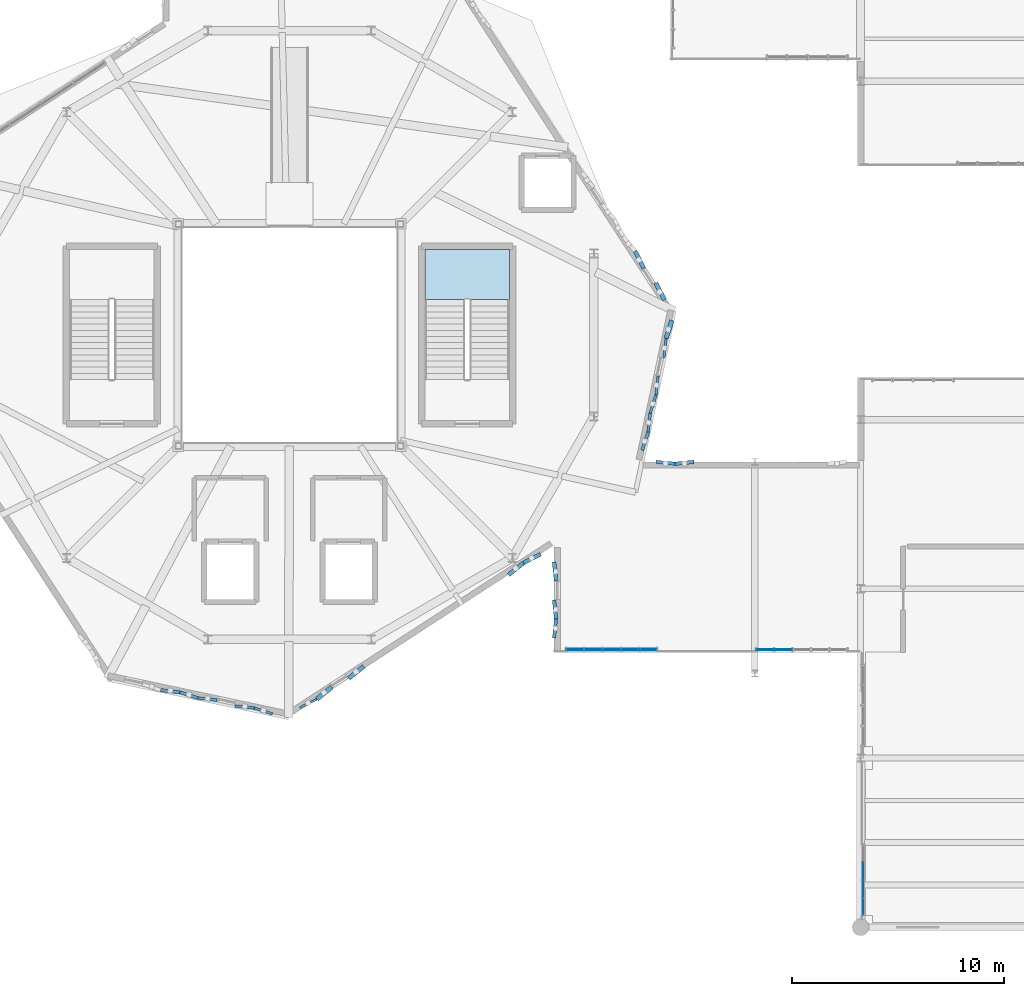
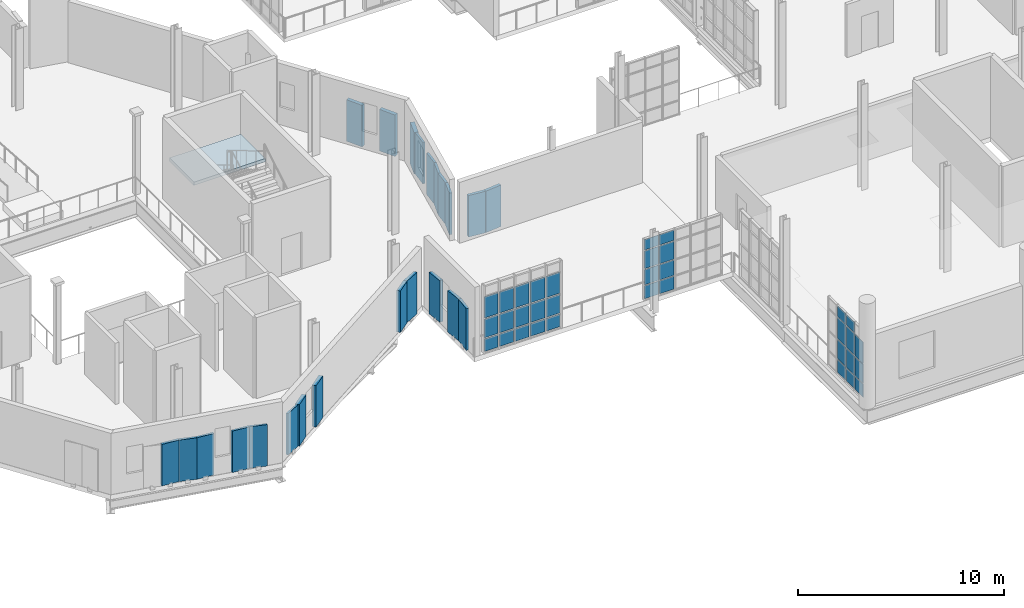
# One storey, part 89 of 118: 57 plates, 1 slab, 4 elements without a shape of their own.
"""IFC4 building model written with IfcOpenShell, lengths in metres."""

from ifc_helpers import new_model, si_unit, direction, frame, frame_2d, origin, origin_2d, place, context, subcontext, project, spatial, polyline, rectangle, outline, extrude, material, layer, layer_set, type_object, element, aggregate, save


model = new_model("IFC4")

# Units and contexts
model_context = context("Model", 3, precision=1e-05, world=origin(), true_north=direction((0.0, 1.0)))
body_context = subcontext(model_context, "Body", "Model", "MODEL_VIEW")
ifc_project = project(units=[si_unit("LENGTHUNIT", "METRE"), si_unit("AREAUNIT", "SQUARE_METRE"), si_unit("VOLUMEUNIT", "CUBIC_METRE"), si_unit("PLANEANGLEUNIT", "RADIAN"), si_unit("MASSUNIT", "GRAM", prefix="KILO"), si_unit("THERMODYNAMICTEMPERATUREUNIT", "KELVIN"), si_unit("POWERUNIT", "WATT")], contexts=[model_context])

# Site, building, storey
site_placement = place(None, origin())
site = spatial("IfcSite", under=ifc_project, at=site_placement, CompositionType="ELEMENT")
building_placement = place(site_placement, origin())
building = spatial("IfcBuilding", under=site, at=building_placement, Name="Zelmaris Science Centre", CompositionType="ELEMENT")
storey_placement = place(building_placement, frame((0.0, 0.0, 15.60009765625)))
storey = spatial("IfcBuildingStorey", under=building, at=storey_placement, Name="L03", CompositionType="ELEMENT", Elevation=15.60009765625)

# Curtain wall, plates
ifc_material_1 = material(Name="Anodised architectural aluminium 6063-T6", Category="aluminium")
ifc_layer_1 = layer(ifc_material_1, 0.18994140625, Name="Anodised architectural aluminium 6063-T6")
ifc_layer_set_1 = layer_set([ifc_layer_1], Name="Anodised architectural aluminium 6063-T6")
curtain_wall_type_1 = type_object("IfcCurtainWallType", Name="Curtain Wall CW-01", PredefinedType="USERDEFINED", material=ifc_layer_set_1)
curtain_wall_1_placement = place(storey_placement, origin())
curtain_wall_1 = element("IfcCurtainWall", 1, at=curtain_wall_1_placement, inside=storey, type_object=curtain_wall_type_1, Name="L03 Unitised curtain wall 313", ObjectType="GLAZED CURTAIN WALL", PredefinedType="USERDEFINED")
ifc_material_2 = material(Name="Laminated hurricane-rated low-E insulated glazing", Category="glass")
ifc_layer_2 = layer(ifc_material_2, 0.031982421875, Name="Laminated hurricane-rated low-E insulated glazing")
ifc_layer_set_2 = layer_set([ifc_layer_2], Name="Laminated hurricane-rated low-E insulated glazing")
plate_type_1 = type_object("IfcPlateType", Name="Curtain Glazing Panel CWP-1 32mm", PredefinedType="CURTAIN_PANEL", material=ifc_layer_set_2)
plate_1_placement = place(storey_placement, frame((97.9580078125, 21.1201171875, 0.05712890625), z_axis=(0.0, 0.0, 1.0), x_axis=(-0.999999999739, 2.286603e-05, 0.0)))
plate_1 = element("IfcPlate", 2, at=plate_1_placement, type_object=plate_type_1, Name="CW-01 panel 1.1", PredefinedType="CURTAIN_PANEL", context=body_context, shape_type="SweptSolid", body=[
    extrude(rectangle(XDim=0.7666015625, YDim=0.031982421875, at=origin_2d()), origin(), (0.0, 0.0, 1.0), 0.741943359375),
])
plate_2_placement = place(storey_placement, frame((97.9580078125, 21.1201171875, 0.870849609375), z_axis=(0.0, 0.0, 1.0), x_axis=(-0.999999999739, 2.286603e-05, 0.0)))
plate_2 = element("IfcPlate", 3, at=plate_2_placement, type_object=plate_type_1, Name="CW-01 panel 1.2", PredefinedType="CURTAIN_PANEL", context=body_context, shape_type="SweptSolid", body=[
    extrude(rectangle(XDim=0.7666015625, YDim=0.031982421875, at=origin_2d()), origin(), (0.0, 0.0, 1.0), 1.1005859375),
])
plate_3_placement = place(storey_placement, frame((97.9580078125, 21.1201171875, 2.04345703125), z_axis=(0.0, 0.0, 1.0), x_axis=(-0.999999999739, 2.286603e-05, 0.0)))
plate_3 = element("IfcPlate", 4, at=plate_3_placement, type_object=plate_type_1, Name="CW-01 panel 1.3", PredefinedType="CURTAIN_PANEL", context=body_context, shape_type="SweptSolid", body=[
    extrude(rectangle(XDim=0.7666015625, YDim=0.031982421875, at=origin_2d()), origin(), (0.0, 0.0, 1.0), 1.25048828125),
])
plate_4_placement = place(storey_placement, frame((97.101318359375, 21.1201171875, 0.05712890625), z_axis=(0.0, 0.0, 1.0), x_axis=(-0.999999999739, 2.286603e-05, 0.0)))
plate_4 = element("IfcPlate", 5, at=plate_4_placement, type_object=plate_type_1, Name="CW-01 panel 2.1", PredefinedType="CURTAIN_PANEL", context=body_context, shape_type="SweptSolid", body=[
    extrude(rectangle(XDim=0.802734375, YDim=0.031982421875, at=origin_2d()), origin(), (0.0, 0.0, 1.0), 0.741943359375),
])
plate_5_placement = place(storey_placement, frame((97.101318359375, 21.1201171875, 0.870849609375), z_axis=(0.0, 0.0, 1.0), x_axis=(-0.999999999739, 2.286603e-05, 0.0)))
plate_5 = element("IfcPlate", 6, at=plate_5_placement, type_object=plate_type_1, Name="CW-01 panel 2.2", PredefinedType="CURTAIN_PANEL", context=body_context, shape_type="SweptSolid", body=[
    extrude(rectangle(XDim=0.802734375, YDim=0.031982421875, at=origin_2d()), origin(), (0.0, 0.0, 1.0), 1.1005859375),
])
plate_6_placement = place(storey_placement, frame((97.101318359375, 21.1201171875, 2.04345703125), z_axis=(0.0, 0.0, 1.0), x_axis=(-0.999999999739, 2.286603e-05, 0.0)))
plate_6 = element("IfcPlate", 7, at=plate_6_placement, type_object=plate_type_1, Name="CW-01 panel 2.3", PredefinedType="CURTAIN_PANEL", context=body_context, shape_type="SweptSolid", body=[
    extrude(rectangle(XDim=0.802734375, YDim=0.031982421875, at=origin_2d()), origin(), (0.0, 0.0, 1.0), 1.25048828125),
])
plate_7_placement = place(storey_placement, frame((96.226806640625, 21.1201171875, 0.05712890625), z_axis=(0.0, 0.0, 1.0), x_axis=(-0.999999999739, 2.286603e-05, 0.0)))
plate_7 = element("IfcPlate", 8, at=plate_7_placement, type_object=plate_type_1, Name="CW-01 panel 3.1", PredefinedType="CURTAIN_PANEL", context=body_context, shape_type="SweptSolid", body=[
    extrude(rectangle(XDim=0.802734375, YDim=0.031982421875, at=origin_2d()), origin(), (0.0, 0.0, 1.0), 0.741943359375),
])
plate_8_placement = place(storey_placement, frame((96.226806640625, 21.1201171875, 0.870849609375), z_axis=(0.0, 0.0, 1.0), x_axis=(-0.999999999739, 2.286603e-05, 0.0)))
plate_8 = element("IfcPlate", 9, at=plate_8_placement, type_object=plate_type_1, Name="CW-01 panel 3.2", PredefinedType="CURTAIN_PANEL", context=body_context, shape_type="SweptSolid", body=[
    extrude(rectangle(XDim=0.802734375, YDim=0.031982421875, at=origin_2d()), origin(), (0.0, 0.0, 1.0), 1.1005859375),
])
plate_9_placement = place(storey_placement, frame((96.226806640625, 21.1201171875, 2.04345703125), z_axis=(0.0, 0.0, 1.0), x_axis=(-0.999999999739, 2.286603e-05, 0.0)))
plate_9 = element("IfcPlate", 10, at=plate_9_placement, type_object=plate_type_1, Name="CW-01 panel 3.3", PredefinedType="CURTAIN_PANEL", context=body_context, shape_type="SweptSolid", body=[
    extrude(rectangle(XDim=0.802734375, YDim=0.031982421875, at=origin_2d()), origin(), (0.0, 0.0, 1.0), 1.25048828125),
])
plate_10_placement = place(storey_placement, frame((95.35205078125, 21.1201171875, 0.05712890625), z_axis=(0.0, 0.0, 1.0), x_axis=(-0.999999999739, 2.286603e-05, 0.0)))
plate_10 = element("IfcPlate", 11, at=plate_10_placement, type_object=plate_type_1, Name="CW-01 panel 4.1", PredefinedType="CURTAIN_PANEL", context=body_context, shape_type="SweptSolid", body=[
    extrude(rectangle(XDim=0.802734375, YDim=0.031982421875, at=origin_2d()), origin(), (0.0, 0.0, 1.0), 0.741943359375),
])
plate_11_placement = place(storey_placement, frame((95.35205078125, 21.1201171875, 0.870849609375), z_axis=(0.0, 0.0, 1.0), x_axis=(-0.999999999739, 2.286603e-05, 0.0)))
plate_11 = element("IfcPlate", 12, at=plate_11_placement, type_object=plate_type_1, Name="CW-01 panel 4.2", PredefinedType="CURTAIN_PANEL", context=body_context, shape_type="SweptSolid", body=[
    extrude(rectangle(XDim=0.802734375, YDim=0.031982421875, at=origin_2d()), origin(), (0.0, 0.0, 1.0), 1.1005859375),
])
plate_12_placement = place(storey_placement, frame((95.35205078125, 21.1201171875, 2.04345703125), z_axis=(0.0, 0.0, 1.0), x_axis=(-0.999999999739, 2.286603e-05, 0.0)))
plate_12 = element("IfcPlate", 13, at=plate_12_placement, type_object=plate_type_1, Name="CW-01 panel 4.3", PredefinedType="CURTAIN_PANEL", context=body_context, shape_type="SweptSolid", body=[
    extrude(rectangle(XDim=0.802734375, YDim=0.031982421875, at=origin_2d()), origin(), (0.0, 0.0, 1.0), 1.25048828125),
])
plate_13_placement = place(storey_placement, frame((94.495361328125, 21.1201171875, 0.05712890625), z_axis=(0.0, 0.0, 1.0), x_axis=(-0.999999999739, 2.286603e-05, 0.0)))
plate_13 = element("IfcPlate", 14, at=plate_13_placement, type_object=plate_type_1, Name="CW-01 panel 5.1", PredefinedType="CURTAIN_PANEL", context=body_context, shape_type="SweptSolid", body=[
    extrude(rectangle(XDim=0.7666015625, YDim=0.031982421875, at=origin_2d()), origin(), (0.0, 0.0, 1.0), 0.741943359375),
])
plate_14_placement = place(storey_placement, frame((94.495361328125, 21.1201171875, 0.870849609375), z_axis=(0.0, 0.0, 1.0), x_axis=(-0.999999999739, 2.286603e-05, 0.0)))
plate_14 = element("IfcPlate", 15, at=plate_14_placement, type_object=plate_type_1, Name="CW-01 panel 5.2", PredefinedType="CURTAIN_PANEL", context=body_context, shape_type="SweptSolid", body=[
    extrude(rectangle(XDim=0.7666015625, YDim=0.031982421875, at=origin_2d()), origin(), (0.0, 0.0, 1.0), 1.1005859375),
])
plate_15_placement = place(storey_placement, frame((94.495361328125, 21.1201171875, 2.04345703125), z_axis=(0.0, 0.0, 1.0), x_axis=(-0.999999999739, 2.286603e-05, 0.0)))
plate_15 = element("IfcPlate", 16, at=plate_15_placement, type_object=plate_type_1, Name="CW-01 panel 5.3", PredefinedType="CURTAIN_PANEL", context=body_context, shape_type="SweptSolid", body=[
    extrude(rectangle(XDim=0.7666015625, YDim=0.031982421875, at=origin_2d()), origin(), (0.0, 0.0, 1.0), 1.25048828125),
])
aggregate(curtain_wall_1, [plate_1, plate_2, plate_3, plate_4, plate_5, plate_6, plate_7, plate_8, plate_9, plate_10, plate_11, plate_12, plate_13, plate_14, plate_15])

ifc_layer_3 = layer(ifc_material_1, 0.2099609375, Name="Anodised architectural aluminium 6063-T6")
ifc_layer_set_3 = layer_set([ifc_layer_3], Name="Anodised architectural aluminium 6063-T6")
curtain_wall_type_2 = type_object("IfcCurtainWallType", Name="Curtain Wall CW-03", PredefinedType="USERDEFINED", material=ifc_layer_set_3)
curtain_wall_2_placement = place(storey_placement, origin())
curtain_wall_2 = element("IfcCurtainWall", 17, at=curtain_wall_2_placement, inside=storey, type_object=curtain_wall_type_2, Name="L03 Unitised curtain wall 311", ObjectType="GLAZED CURTAIN WALL", PredefinedType="USERDEFINED")
ifc_layer_4 = layer(ifc_material_2, 0.02587890625, Name="Laminated hurricane-rated low-E insulated glazing")
ifc_layer_set_4 = layer_set([ifc_layer_4], Name="Laminated hurricane-rated low-E insulated glazing")
plate_type_2 = type_object("IfcPlateType", Name="Curtain Glazing Panel CWP-3 26mm", PredefinedType="CURTAIN_PANEL", material=ifc_layer_set_4)
plate_16_placement = place(storey_placement, frame((104.338623046875, 21.1201171875, 0.0419921875), z_axis=(0.0, 0.0, 1.0), x_axis=(-1.0, 0.0, 0.0)))
plate_16 = element("IfcPlate", 18, at=plate_16_placement, type_object=plate_type_2, Name="CW-03 panel 4.1", PredefinedType="CURTAIN_PANEL", context=body_context, shape_type="SweptSolid", body=[
    extrude(rectangle(XDim=0.817626953125, YDim=0.02587890625, at=origin_2d()), origin(), (0.0, 0.0, 1.0), 0.764404296875),
])
plate_17_placement = place(storey_placement, frame((104.338623046875, 21.1201171875, 0.863525390625), z_axis=(0.0, 0.0, 1.0), x_axis=(-1.0, 0.0, 0.0)))
plate_17 = element("IfcPlate", 19, at=plate_17_placement, type_object=plate_type_2, Name="CW-03 panel 4.2", PredefinedType="CURTAIN_PANEL", context=body_context, shape_type="SweptSolid", body=[
    extrude(rectangle(XDim=0.817626953125, YDim=0.02587890625, at=origin_2d()), origin(), (0.0, 0.0, 1.0), 0.90087890625),
])
plate_18_placement = place(storey_placement, frame((104.338623046875, 21.1201171875, 1.8212890625), z_axis=(0.0, 0.0, 1.0), x_axis=(-1.0, 0.0, 0.0)))
plate_18 = element("IfcPlate", 20, at=plate_18_placement, type_object=plate_type_2, Name="CW-03 panel 4.3", PredefinedType="CURTAIN_PANEL", context=body_context, shape_type="SweptSolid", body=[
    extrude(rectangle(XDim=0.817626953125, YDim=0.02587890625, at=origin_2d()), origin(), (0.0, 0.0, 1.0), 1.051025390625),
])
plate_19_placement = place(storey_placement, frame((104.338623046875, 21.1201171875, 2.92919921875), z_axis=(0.0, 0.0, 1.0), x_axis=(-1.0, 0.0, 0.0)))
plate_19 = element("IfcPlate", 21, at=plate_19_placement, type_object=plate_type_2, Name="CW-03 panel 4.4", PredefinedType="CURTAIN_PANEL", context=body_context, shape_type="SweptSolid", body=[
    extrude(rectangle(XDim=0.817626953125, YDim=0.02587890625, at=origin_2d()), origin(), (0.0, 0.0, 1.0), 0.614501953125),
])
plate_20_placement = place(storey_placement, frame((103.478271484375, 21.1201171875, 0.0419921875), z_axis=(0.0, 0.0, 1.0), x_axis=(-1.0, 0.0, 0.0)))
plate_20 = element("IfcPlate", 22, at=plate_20_placement, type_object=plate_type_2, Name="CW-03 panel 5.1", PredefinedType="CURTAIN_PANEL", context=body_context, shape_type="SweptSolid", body=[
    extrude(rectangle(XDim=0.7890625, YDim=0.02587890625, at=origin_2d()), origin(), (0.0, 0.0, 1.0), 0.764404296875),
])
plate_21_placement = place(storey_placement, frame((103.478271484375, 21.1201171875, 0.863525390625), z_axis=(0.0, 0.0, 1.0), x_axis=(-1.0, 0.0, 0.0)))
plate_21 = element("IfcPlate", 23, at=plate_21_placement, type_object=plate_type_2, Name="CW-03 panel 5.2", PredefinedType="CURTAIN_PANEL", context=body_context, shape_type="SweptSolid", body=[
    extrude(rectangle(XDim=0.7890625, YDim=0.02587890625, at=origin_2d()), origin(), (0.0, 0.0, 1.0), 0.90087890625),
])
plate_22_placement = place(storey_placement, frame((103.478271484375, 21.1201171875, 1.8212890625), z_axis=(0.0, 0.0, 1.0), x_axis=(-1.0, 0.0, 0.0)))
plate_22 = element("IfcPlate", 24, at=plate_22_placement, type_object=plate_type_2, Name="CW-03 panel 5.3", PredefinedType="CURTAIN_PANEL", context=body_context, shape_type="SweptSolid", body=[
    extrude(rectangle(XDim=0.7890625, YDim=0.02587890625, at=origin_2d()), origin(), (0.0, 0.0, 1.0), 1.051025390625),
])
plate_23_placement = place(storey_placement, frame((103.478271484375, 21.1201171875, 2.92919921875), z_axis=(0.0, 0.0, 1.0), x_axis=(-1.0, 0.0, 0.0)))
plate_23 = element("IfcPlate", 25, at=plate_23_placement, type_object=plate_type_2, Name="CW-03 panel 5.4", PredefinedType="CURTAIN_PANEL", context=body_context, shape_type="SweptSolid", body=[
    extrude(rectangle(XDim=0.7890625, YDim=0.02587890625, at=origin_2d()), origin(), (0.0, 0.0, 1.0), 0.614501953125),
])
aggregate(curtain_wall_2, [plate_16, plate_17, plate_18, plate_19, plate_20, plate_21, plate_22, plate_23])

ifc_layer_5 = layer(ifc_material_1, 0.219970703125, Name="Anodised architectural aluminium 6063-T6")
ifc_layer_set_5 = layer_set([ifc_layer_5], Name="Anodised architectural aluminium 6063-T6")
curtain_wall_type_3 = type_object("IfcCurtainWallType", Name="Curtain Wall CW-04", PredefinedType="USERDEFINED", material=ifc_layer_set_5)
curtain_wall_3_placement = place(storey_placement, origin())
curtain_wall_3 = element("IfcCurtainWall", 26, at=curtain_wall_3_placement, inside=storey, type_object=curtain_wall_type_3, Name="L03 Unitised curtain wall 308", ObjectType="GLAZED CURTAIN WALL", PredefinedType="USERDEFINED")
ifc_layer_6 = layer(ifc_material_2, 0.02392578125, Name="Laminated hurricane-rated low-E insulated glazing")
ifc_layer_set_6 = layer_set([ifc_layer_6], Name="Laminated hurricane-rated low-E insulated glazing")
plate_type_3 = type_object("IfcPlateType", Name="Curtain Glazing Panel CWP-4 24mm", PredefinedType="CURTAIN_PANEL", material=ifc_layer_set_6)
plate_24_placement = place(storey_placement, frame((108.119140625, 8.978271484375, 0.036865234375), z_axis=(0.0, 0.0, 1.0), x_axis=(-0.001058854076, 0.999999439414, 0.0)))
plate_24 = element("IfcPlate", 27, at=plate_24_placement, type_object=plate_type_3, Name="CW-04 panel 1.1", PredefinedType="CURTAIN_PANEL", context=body_context, shape_type="SweptSolid", body=[
    extrude(rectangle(XDim=0.77197265625, YDim=0.02392578125, at=origin_2d()), origin(), (0.0, 0.0, 1.0), 0.77197265625),
])
plate_25_placement = place(storey_placement, frame((108.119140625, 8.978271484375, 0.86083984375), z_axis=(0.0, 0.0, 1.0), x_axis=(-0.001058854076, 0.999999439414, 0.0)))
plate_25 = element("IfcPlate", 28, at=plate_25_placement, type_object=plate_type_3, Name="CW-04 panel 1.2", PredefinedType="CURTAIN_PANEL", context=body_context, shape_type="SweptSolid", body=[
    extrude(rectangle(XDim=0.77197265625, YDim=0.02392578125, at=origin_2d()), origin(), (0.0, 0.0, 1.0), 1.12060546875),
])
plate_26_placement = place(storey_placement, frame((108.119140625, 8.978271484375, 2.033447265625), z_axis=(0.0, 0.0, 1.0), x_axis=(-0.001058854076, 0.999999439414, 0.0)))
plate_26 = element("IfcPlate", 29, at=plate_26_placement, type_object=plate_type_3, Name="CW-04 panel 1.3", PredefinedType="CURTAIN_PANEL", context=body_context, shape_type="SweptSolid", body=[
    extrude(rectangle(XDim=0.77197265625, YDim=0.02392578125, at=origin_2d()), origin(), (0.0, 0.0, 1.0), 1.2705078125),
])
plate_27_placement = place(storey_placement, frame((108.1181640625, 9.815185546875, 0.036865234375), z_axis=(0.0, 0.0, 1.0), x_axis=(-0.001058854076, 0.999999439414, 0.0)))
plate_27 = element("IfcPlate", 30, at=plate_27_placement, type_object=plate_type_3, Name="CW-04 panel 2.1", PredefinedType="CURTAIN_PANEL", context=body_context, shape_type="SweptSolid", body=[
    extrude(rectangle(XDim=0.798095703125, YDim=0.02392578125, at=origin_2d()), origin(), (0.0, 0.0, 1.0), 0.77197265625),
])
plate_28_placement = place(storey_placement, frame((108.1181640625, 9.815185546875, 0.86083984375), z_axis=(0.0, 0.0, 1.0), x_axis=(-0.001058854076, 0.999999439414, 0.0)))
plate_28 = element("IfcPlate", 31, at=plate_28_placement, type_object=plate_type_3, Name="CW-04 panel 2.2", PredefinedType="CURTAIN_PANEL", context=body_context, shape_type="SweptSolid", body=[
    extrude(rectangle(XDim=0.798095703125, YDim=0.02392578125, at=origin_2d()), origin(), (0.0, 0.0, 1.0), 1.12060546875),
])
plate_29_placement = place(storey_placement, frame((108.1181640625, 9.815185546875, 2.033447265625), z_axis=(0.0, 0.0, 1.0), x_axis=(-0.001058854076, 0.999999439414, 0.0)))
plate_29 = element("IfcPlate", 32, at=plate_29_placement, type_object=plate_type_3, Name="CW-04 panel 2.3", PredefinedType="CURTAIN_PANEL", context=body_context, shape_type="SweptSolid", body=[
    extrude(rectangle(XDim=0.798095703125, YDim=0.02392578125, at=origin_2d()), origin(), (0.0, 0.0, 1.0), 1.2705078125),
])
plate_30_placement = place(storey_placement, frame((108.1181640625, 9.815185546875, 3.35595703125), z_axis=(0.0, 0.0, 1.0), x_axis=(-0.001058854076, 0.999999439414, 0.0)))
plate_30 = element("IfcPlate", 33, at=plate_30_placement, type_object=plate_type_3, Name="CW-04 panel 2.4", PredefinedType="CURTAIN_PANEL", context=body_context, shape_type="SweptSolid", body=[
    extrude(rectangle(XDim=0.798095703125, YDim=0.02392578125, at=origin_2d()), origin(), (0.0, 0.0, 1.0), 0.6220703125),
])
plate_31_placement = place(storey_placement, frame((108.1171875, 10.6650390625, 0.036865234375), z_axis=(0.0, 0.0, 1.0), x_axis=(-0.001058854076, 0.999999439414, 0.0)))
plate_31 = element("IfcPlate", 34, at=plate_31_placement, type_object=plate_type_3, Name="CW-04 panel 3.1", PredefinedType="CURTAIN_PANEL", context=body_context, shape_type="SweptSolid", body=[
    extrude(rectangle(XDim=0.798095703125, YDim=0.02392578125, at=origin_2d()), origin(), (0.0, 0.0, 1.0), 0.77197265625),
])
plate_32_placement = place(storey_placement, frame((108.1171875, 10.6650390625, 0.86083984375), z_axis=(0.0, 0.0, 1.0), x_axis=(-0.001058854076, 0.999999439414, 0.0)))
plate_32 = element("IfcPlate", 35, at=plate_32_placement, type_object=plate_type_3, Name="CW-04 panel 3.2", PredefinedType="CURTAIN_PANEL", context=body_context, shape_type="SweptSolid", body=[
    extrude(rectangle(XDim=0.798095703125, YDim=0.02392578125, at=origin_2d()), origin(), (0.0, 0.0, 1.0), 1.12060546875),
])
plate_33_placement = place(storey_placement, frame((108.1171875, 10.6650390625, 2.033447265625), z_axis=(0.0, 0.0, 1.0), x_axis=(-0.001058854076, 0.999999439414, 0.0)))
plate_33 = element("IfcPlate", 36, at=plate_33_placement, type_object=plate_type_3, Name="CW-04 panel 3.3", PredefinedType="CURTAIN_PANEL", context=body_context, shape_type="SweptSolid", body=[
    extrude(rectangle(XDim=0.798095703125, YDim=0.02392578125, at=origin_2d()), origin(), (0.0, 0.0, 1.0), 1.2705078125),
])
plate_34_placement = place(storey_placement, frame((108.1171875, 10.6650390625, 3.35595703125), z_axis=(0.0, 0.0, 1.0), x_axis=(-0.001058854076, 0.999999439414, 0.0)))
plate_34 = element("IfcPlate", 37, at=plate_34_placement, type_object=plate_type_3, Name="CW-04 panel 3.4", PredefinedType="CURTAIN_PANEL", context=body_context, shape_type="SweptSolid", body=[
    extrude(rectangle(XDim=0.798095703125, YDim=0.02392578125, at=origin_2d()), origin(), (0.0, 0.0, 1.0), 0.6220703125),
])
aggregate(curtain_wall_3, [plate_24, plate_25, plate_26, plate_27, plate_28, plate_29, plate_30, plate_31, plate_32, plate_33, plate_34])

# Plates
ifc_material_3 = material(Name="Precast concrete C40/50", Category="concrete")
ifc_layer_7 = layer(ifc_material_3, 0.110107421875, Name="Precast concrete C40/50")
ifc_layer_set_7 = layer_set([ifc_layer_7], Name="Precast concrete C40/50")
plate_type_4 = type_object("IfcPlateType", Name="Precast Facet Panel FP-01 110mm", PredefinedType="SHEET", material=ifc_layer_set_7)
plate_35_placement = place(storey_placement, frame((82.291748046875, 18.78857421875, 0.02001953125), z_axis=(0.0, 0.0, 1.0), x_axis=(-0.890067401087, -0.455828938883, 0.0)))
element("IfcPlate", 38, at=plate_35_placement, inside=storey, type_object=plate_type_4, Name="L03 Folded precast facet panel 120", PredefinedType="SHEET", context=body_context, shape_type="SweptSolid", body=[
    extrude(rectangle(XDim=0.904541015625, YDim=0.110107421875, at=frame_2d((0.4521484375, 0.0))), origin(), (0.0, 0.0, 1.0), 2.4599609375),
])
plate_36_placement = place(storey_placement, frame((98.798095703125, 35.827880859375, 0.02001953125), z_axis=(0.0, 0.0, 1.0), x_axis=(-0.107676495098, -0.994185984815, 0.0)))
element("IfcPlate", 39, at=plate_36_placement, inside=storey, type_object=plate_type_4, Name="L03 Folded precast facet panel 156", PredefinedType="SHEET", context=body_context, shape_type="SweptSolid", body=[
    extrude(rectangle(XDim=0.90478515625, YDim=0.110107421875, at=frame_2d((0.452392578125, 0.0))), origin(), (0.0, 0.0, 1.0), 2.4599609375),
])
ifc_layer_8 = layer(ifc_material_3, 0.1201171875, Name="Precast concrete C40/50")
ifc_layer_set_8 = layer_set([ifc_layer_8], Name="Precast concrete C40/50")
plate_type_5 = type_object("IfcPlateType", Name="Precast Facet Panel FP-02 120mm", PredefinedType="SHEET", material=ifc_layer_set_8)
for number, where, z_axis, x_axis, name in (
    (40, (80.1953125, 18.08740234375, 0.02001953125), (0.0, 0.0, 1.0), (-0.952107151428, 0.305764569889, 0.0), "L03 Folded precast facet panel 121"),
    (41, (98.423828125, 34.067138671875, 0.02001953125), (0.0, 0.0, 1.0), (-0.107705392075, -0.994182854669, 0.0), "L03 Folded precast facet panel 157"),
):
    element("IfcPlate", number, at=place(storey_placement, frame(where, z_axis=z_axis, x_axis=x_axis)), inside=storey, type_object=plate_type_5, Name=name, PredefinedType="SHEET", context=body_context, shape_type="SweptSolid", body=[
        extrude(rectangle(XDim=0.904541015625, YDim=0.1201171875, at=frame_2d((0.4521484375, 0.0))), origin(), (0.0, 0.0, 1.0), 2.4599609375),
    ])
ifc_layer_9 = layer(ifc_material_3, 0.1298828125, Name="Precast concrete C40/50")
ifc_layer_set_9 = layer_set([ifc_layer_9], Name="Precast concrete C40/50")
plate_type_6 = type_object("IfcPlateType", Name="Precast Facet Panel FP-03 130mm", PredefinedType="SHEET", material=ifc_layer_set_9)
plate_37_placement = place(storey_placement, frame((79.333984375, 18.364013671875, 0.02001953125), z_axis=(0.0, 0.0, 1.0), x_axis=(-0.994157060606, 0.107943220478, 0.0)))
element("IfcPlate", 42, at=plate_37_placement, inside=storey, type_object=plate_type_6, Name="L03 Folded precast facet panel 122", PredefinedType="SHEET", context=body_context, shape_type="SweptSolid", body=[
    extrude(rectangle(XDim=0.90478515625, YDim=0.1298828125, at=frame_2d((0.452392578125, 0.0))), origin(), (0.0, 0.0, 1.0), 2.4599609375),
])
plate_38_placement = place(storey_placement, frame((98.326416015625, 33.16796875, 0.02001953125), z_axis=(0.0, 0.0, 1.0), x_axis=(-0.305764569889, -0.952107151428, 0.0)))
element("IfcPlate", 43, at=plate_38_placement, inside=storey, type_object=plate_type_6, Name="L03 Folded precast facet panel 158", PredefinedType="SHEET", context=body_context, shape_type="SweptSolid", body=[
    extrude(rectangle(XDim=0.904541015625, YDim=0.1298828125, at=frame_2d((0.4521484375, 0.0))), origin(), (0.0, 0.0, 1.0), 2.4599609375),
])
ifc_layer_10 = layer(ifc_material_3, 0.139892578125, Name="Precast concrete C40/50")
ifc_layer_set_10 = layer_set([ifc_layer_10], Name="Precast concrete C40/50")
plate_type_7 = type_object("IfcPlateType", Name="Precast Facet Panel FP-04 140mm", PredefinedType="SHEET", material=ifc_layer_set_10)
for number, where, z_axis, x_axis, name in (
    (44, (77.5732421875, 18.73828125, 0.02001953125), (0.0, 0.0, 1.0), (-0.994185984815, 0.107676495098, 0.0), "L03 Folded precast facet panel 123"),
    (45, (98.0498046875, 32.306640625, 0.02001953125), (0.0, 0.0, 1.0), (-0.107943220478, -0.994157060606, 0.0), "L03 Folded precast facet panel 159"),
):
    element("IfcPlate", number, at=place(storey_placement, frame(where, z_axis=z_axis, x_axis=x_axis)), inside=storey, type_object=plate_type_7, Name=name, PredefinedType="SHEET", context=body_context, shape_type="SweptSolid", body=[
        extrude(rectangle(XDim=0.90478515625, YDim=0.139892578125, at=frame_2d((0.452392578125, 0.0))), origin(), (0.0, 0.0, 1.0), 2.4599609375),
    ])
ifc_layer_11 = layer(ifc_material_3, 0.14990234375, Name="Precast concrete C40/50")
ifc_layer_set_11 = layer_set([ifc_layer_11], Name="Precast concrete C40/50")
plate_type_8 = type_object("IfcPlateType", Name="Precast Facet Panel FP-05 150mm", PredefinedType="SHEET", material=ifc_layer_set_11)
plate_39_placement = place(storey_placement, frame((76.673828125, 18.835693359375, 0.02001953125), z_axis=(0.0, 0.0, 1.0), x_axis=(-0.952028561285, 0.306009180413, 0.0)))
element("IfcPlate", 46, at=plate_39_placement, inside=storey, type_object=plate_type_8, Name="L03 Folded precast facet panel 124", PredefinedType="SHEET", context=body_context, shape_type="SweptSolid", body=[
    extrude(rectangle(XDim=0.90478515625, YDim=0.14990234375, at=frame_2d((0.452392578125, 0.0))), origin(), (0.0, 0.0, 1.0), 2.4599609375),
])
plate_40_placement = place(storey_placement, frame((97.9521484375, 31.4072265625, 0.02001953125), z_axis=(0.0, 0.0, 1.0), x_axis=(-0.305764569889, -0.952107151428, 0.0)))
element("IfcPlate", 47, at=plate_40_placement, inside=storey, type_object=plate_type_8, Name="L03 Folded precast facet panel 160", PredefinedType="SHEET", context=body_context, shape_type="SweptSolid", body=[
    extrude(rectangle(XDim=0.904541015625, YDim=0.14990234375, at=frame_2d((0.4521484375, 0.0))), origin(), (0.0, 0.0, 1.0), 2.4599609375),
])
ifc_layer_12 = layer(ifc_material_3, 0.159912109375, Name="Precast concrete C40/50")
ifc_layer_set_12 = layer_set([ifc_layer_12], Name="Precast concrete C40/50")
plate_type_9 = type_object("IfcPlateType", Name="Precast Facet Panel FP-06 160mm", PredefinedType="SHEET", material=ifc_layer_set_12)
plate_41_placement = place(storey_placement, frame((93.508544921875, 21.674560546875, 0.02001953125), z_axis=(0.0, 0.0, 1.0), x_axis=(0.101213852315, 0.994864692357, 0.0)))
element("IfcPlate", 48, at=plate_41_placement, inside=storey, type_object=plate_type_9, Name="L03 Folded precast facet panel 113", PredefinedType="SHEET", context=body_context, shape_type="SweptSolid", body=[
    extrude(rectangle(XDim=0.904541015625, YDim=0.159912109375, at=frame_2d((0.4521484375, 0.0))), origin(), (0.0, 0.0, 1.0), 2.4599609375),
])
plate_42_placement = place(storey_placement, frame((75.8125, 19.112548828125, 0.02001953125), z_axis=(0.0, 0.0, 1.0), x_axis=(-0.994185984815, 0.107676495098, 0.0)))
element("IfcPlate", 49, at=plate_42_placement, inside=storey, type_object=plate_type_9, Name="L03 Folded precast facet panel 125", PredefinedType="SHEET", context=body_context, shape_type="SweptSolid", body=[
    extrude(rectangle(XDim=0.90478515625, YDim=0.159912109375, at=frame_2d((0.452392578125, 0.0))), origin(), (0.0, 0.0, 1.0), 2.4599609375),
])
plate_43_placement = place(storey_placement, frame((98.326904296875, 30.001220703125, 0.02001953125), z_axis=(0.0, 0.0, 1.0), x_axis=(0.994782843235, -0.102015169491, 0.0)))
element("IfcPlate", 50, at=plate_43_placement, inside=storey, type_object=plate_type_9, Name="L03 Folded precast facet panel 161", PredefinedType="SHEET", context=body_context, shape_type="SweptSolid", body=[
    extrude(rectangle(XDim=0.904541015625, YDim=0.159912109375, at=frame_2d((0.4521484375, 0.0))), origin(), (0.0, 0.0, 1.0), 2.4599609375),
])
ifc_layer_13 = layer(ifc_material_3, 0.169921875, Name="Precast concrete C40/50")
ifc_layer_set_13 = layer_set([ifc_layer_13], Name="Precast concrete C40/50")
plate_type_10 = type_object("IfcPlateType", Name="Precast Facet Panel FP-07 170mm", PredefinedType="SHEET", material=ifc_layer_set_13)
for number, where, z_axis, x_axis, name in (
    (51, (93.60009765625, 22.574462890625, 0.02001953125), (0.0, 0.0, 1.0), (-0.101186681876, 0.994867456203, 0.0), "L03 Folded precast facet panel 114"),
    (52, (99.226806640625, 29.908935546875, 0.02001953125), (0.0, 0.0, 1.0), (0.994948629728, 0.100385378427, 0.0), "L03 Folded precast facet panel 162"),
):
    element("IfcPlate", number, at=place(storey_placement, frame(where, z_axis=z_axis, x_axis=x_axis)), inside=storey, type_object=plate_type_10, Name=name, PredefinedType="SHEET", context=body_context, shape_type="SweptSolid", body=[
        extrude(rectangle(XDim=0.90478515625, YDim=0.169921875, at=frame_2d((0.452392578125, 0.0))), origin(), (0.0, 0.0, 1.0), 2.4599609375),
    ])
ifc_layer_14 = layer(ifc_material_3, 0.179931640625, Name="Precast concrete C40/50")
ifc_layer_set_14 = layer_set([ifc_layer_14], Name="Precast concrete C40/50")
plate_type_11 = type_object("IfcPlateType", Name="Precast Facet Panel FP-08 180mm", PredefinedType="SHEET", material=ifc_layer_set_14)
plate_44_placement = place(storey_placement, frame((93.60009765625, 24.37451171875, 0.02001953125), z_axis=(0.0, 0.0, 1.0), x_axis=(-0.101480980007, 0.99483747954, 0.0)))
element("IfcPlate", 53, at=plate_44_placement, inside=storey, type_object=plate_type_11, Name="L03 Folded precast facet panel 115", PredefinedType="SHEET", context=body_context, shape_type="SweptSolid", body=[
    extrude(rectangle(XDim=0.904541015625, YDim=0.179931640625, at=frame_2d((0.4521484375, 0.0))), origin(), (0.0, 0.0, 1.0), 2.4599609375),
])
ifc_layer_15 = layer(ifc_material_3, 0.18994140625, Name="Precast concrete C40/50")
ifc_layer_set_15 = layer_set([ifc_layer_15], Name="Precast concrete C40/50")
plate_type_12 = type_object("IfcPlateType", Name="Precast Facet Panel FP-09 190mm", PredefinedType="SHEET", material=ifc_layer_set_15)
plate_45_placement = place(storey_placement, frame((92.866943359375, 25.638427734375, 0.02001953125), z_axis=(0.0, 0.0, 1.0), x_axis=(-0.890067401087, -0.455828938883, 0.0)))
element("IfcPlate", 54, at=plate_45_placement, inside=storey, type_object=plate_type_12, Name="L03 Folded precast facet panel 116", PredefinedType="SHEET", context=body_context, shape_type="SweptSolid", body=[
    extrude(rectangle(XDim=0.904541015625, YDim=0.18994140625, at=frame_2d((0.4521484375, 0.0))), origin(), (0.0, 0.0, 1.0), 2.4599609375),
])
ifc_layer_16 = layer(ifc_material_3, 0.199951171875, Name="Precast concrete C40/50")
ifc_layer_set_16 = layer_set([ifc_layer_16], Name="Precast concrete C40/50")
plate_type_13 = type_object("IfcPlateType", Name="Precast Facet Panel FP-10 200mm", PredefinedType="SHEET", material=ifc_layer_set_16)
for number, where, z_axis, x_axis, name in (
    (55, (92.061767578125, 25.22607421875, 0.02001953125), (0.0, 0.0, 1.0), (-0.779946426344, -0.625846284668, 0.0), "L03 Folded precast facet panel 117"),
    (56, (97.333984375, 39.966064453125, 0.02001953125), (0.0, 0.0, 1.0), (0.456902805347, -0.889516625177, 0.0), "L03 Folded precast facet panel 153"),
):
    element("IfcPlate", number, at=place(storey_placement, frame(where, z_axis=z_axis, x_axis=x_axis)), inside=storey, type_object=plate_type_13, Name=name, PredefinedType="SHEET", context=body_context, shape_type="SweptSolid", body=[
        extrude(rectangle(XDim=0.904541015625, YDim=0.199951171875, at=frame_2d((0.4521484375, 0.0))), origin(), (0.0, 0.0, 1.0), 2.4599609375),
    ])
ifc_layer_17 = layer(ifc_material_3, 0.2099609375, Name="Precast concrete C40/50")
ifc_layer_set_17 = layer_set([ifc_layer_17], Name="Precast concrete C40/50")
plate_type_14 = type_object("IfcPlateType", Name="Precast Facet Panel FP-11 210mm", PredefinedType="SHEET", material=ifc_layer_set_17)
for number, where, z_axis, x_axis, name in (
    (57, (84.508056640625, 20.333251953125, 0.02001953125), (0.0, 0.0, 1.0), (-0.779946426344, -0.625846284668, 0.0), "L03 Folded precast facet panel 118"),
    (58, (98.314453125, 38.45654296875, 0.02001953125), (0.0, 0.0, 1.0), (0.456902805347, -0.889516625177, 0.0), "L03 Folded precast facet panel 154"),
):
    element("IfcPlate", number, at=place(storey_placement, frame(where, z_axis=z_axis, x_axis=x_axis)), inside=storey, type_object=plate_type_14, Name=name, PredefinedType="SHEET", context=body_context, shape_type="SweptSolid", body=[
        extrude(rectangle(XDim=0.904541015625, YDim=0.2099609375, at=frame_2d((0.4521484375, 0.0))), origin(), (0.0, 0.0, 1.0), 2.4599609375),
    ])
ifc_layer_18 = layer(ifc_material_3, 0.219970703125, Name="Precast concrete C40/50")
ifc_layer_set_18 = layer_set([ifc_layer_18], Name="Precast concrete C40/50")
plate_type_15 = type_object("IfcPlateType", Name="Precast Facet Panel FP-12 220mm", PredefinedType="SHEET", material=ifc_layer_set_18)
for number, where, z_axis, x_axis, name in (
    (59, (82.997314453125, 19.3544921875, 0.02001953125), (0.0, 0.0, 1.0), (-0.780078165766, -0.625682072058, 0.0), "L03 Folded precast facet panel 119"),
    (60, (99.07470703125, 36.689208984375, 0.02001953125), (0.0, 0.0, 1.0), (-0.305764569889, -0.952107151428, 0.0), "L03 Folded precast facet panel 155"),
):
    element("IfcPlate", number, at=place(storey_placement, frame(where, z_axis=z_axis, x_axis=x_axis)), inside=storey, type_object=plate_type_15, Name=name, PredefinedType="SHEET", context=body_context, shape_type="SweptSolid", body=[
        extrude(rectangle(XDim=0.904541015625, YDim=0.219970703125, at=frame_2d((0.4521484375, 0.0))), origin(), (0.0, 0.0, 1.0), 2.4599609375),
    ])

# Stair, slab
ifc_material_4 = material(Name="Concrete C40/50", Category="concrete")
stair_type = type_object("IfcStairType", Name="Exit Stair ST-B W1900", PredefinedType="HALF_TURN_STAIR", material=ifc_material_4)
stair_placement = place(storey_placement, origin())
stair = element("IfcStair", 61, at=stair_placement, inside=storey, type_object=stair_type, Name="L03 Exit Stair Core ST-2", PredefinedType="HALF_TURN_STAIR")
ifc_material_5 = material(Name="Concrete C35/45", Category="concrete")
ifc_layer_19 = layer(ifc_material_5, 0.18994140625, Name="Concrete C35/45")
ifc_layer_set_19 = layer_set([ifc_layer_19], Name="Concrete C35/45")
slab_type = type_object("IfcSlabType", Name="Slab SL-LD190 190mm", PredefinedType="LANDING", material=ifc_layer_set_19)
slab_placement = place(storey_placement, frame((0.0, 0.0, 2.2099609375)))
slab = element("IfcSlab", 62, at=slab_placement, type_object=slab_type, Name="ST-2 landing 1", PredefinedType="LANDING", context=body_context, shape_type="SweptSolid", body=[
    extrude(outline(polyline([(91.39990234375, 37.669921875), (91.39990234375, 40.050048828125), (87.39990234375, 40.050048828125), (87.39990234375, 37.669921875), (91.39990234375, 37.669921875)])), origin(), (0.0, 0.0, 1.0), 0.18994140625),
])
aggregate(stair, [slab])

save(model, "model.ifc")
